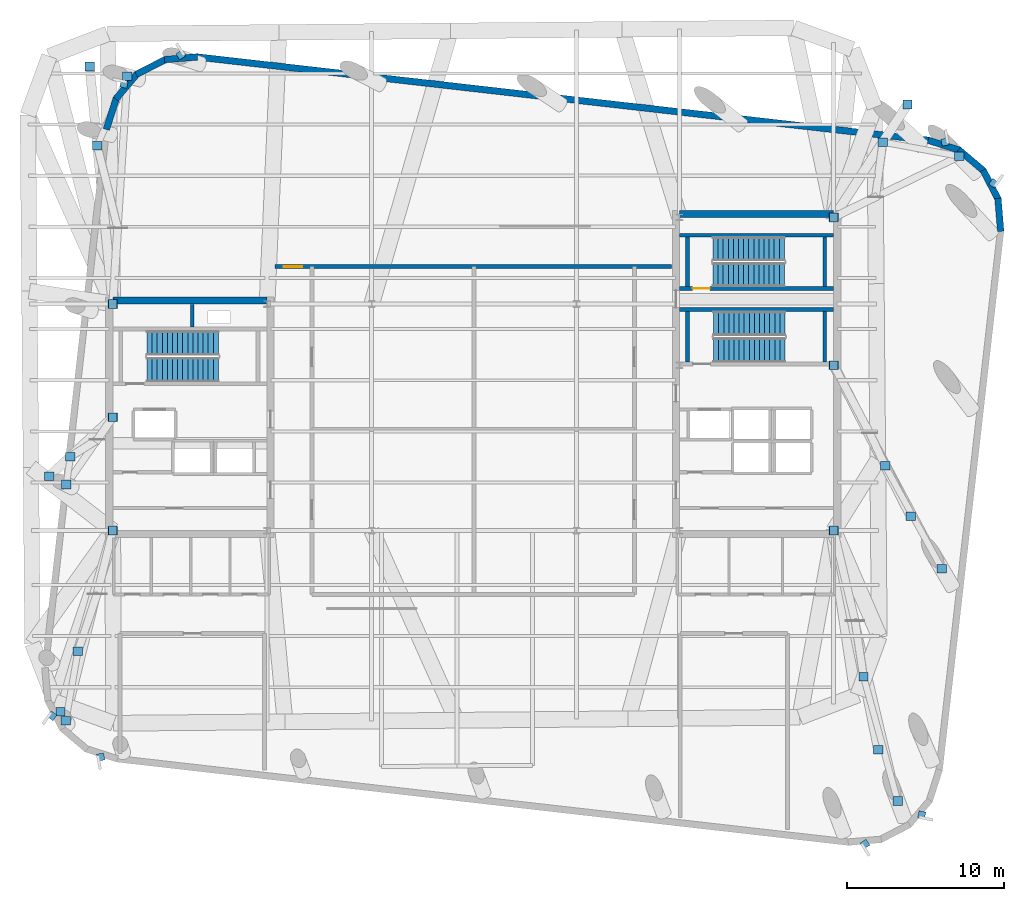
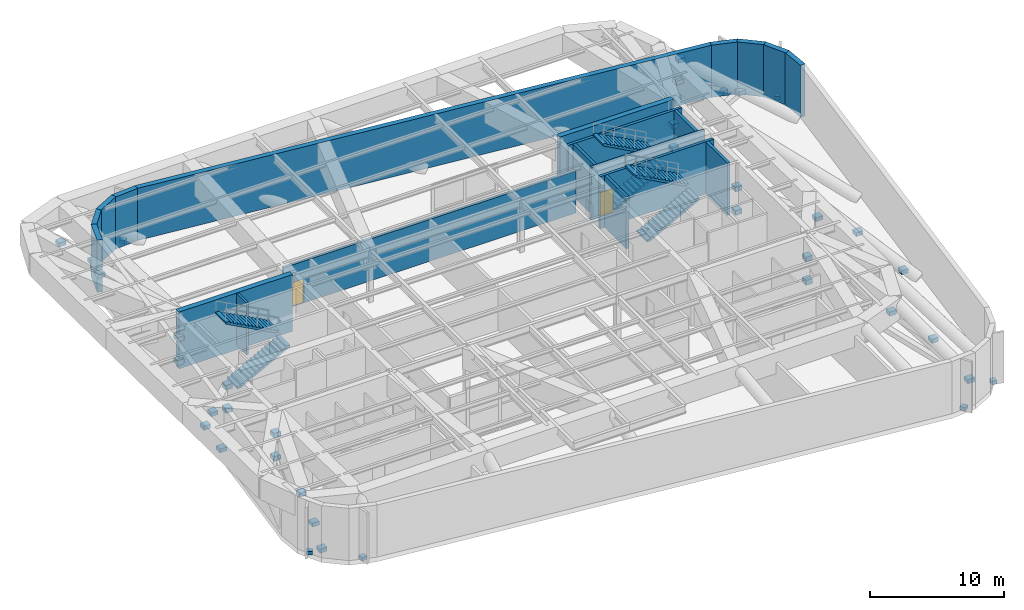
# One storey, part 9 of 12: 50 discrete accessories, 20 walls, 6 stair flights, 2 doors, 2 openings, 3 elements without a shape of their own.
"""IFC4 building model written with IfcOpenShell, lengths in metres."""

from ifc_helpers import new_model, si_unit, direction, frame, frame_2d, origin, origin_2d, place, context, subcontext, project, spatial, polyline, rectangle, outline, extrude, material, layer, layer_set, type_object, element, fill, aggregate, save


model = new_model("IFC4")

# Units and contexts
model_context = context("Model", 3, precision=1e-05, world=origin(), true_north=direction((0.0, 1.0)))
body_context = subcontext(model_context, "Body", "Model", "MODEL_VIEW")
ifc_project = project(units=[si_unit("LENGTHUNIT", "METRE"), si_unit("AREAUNIT", "SQUARE_METRE"), si_unit("VOLUMEUNIT", "CUBIC_METRE"), si_unit("PLANEANGLEUNIT", "RADIAN"), si_unit("MASSUNIT", "GRAM", prefix="KILO")], contexts=[model_context])

# Site, building, storey
site_placement = place(None, origin())
site = spatial("IfcSite", under=ifc_project, at=site_placement, CompositionType="ELEMENT")
building_placement = place(site_placement, origin())
building = spatial("IfcBuilding", under=site, at=building_placement, Name="Kolvaren Arena Tower", CompositionType="ELEMENT")
storey_placement = place(building_placement, frame((0.0, 0.0, 269.699951171875)))
storey = spatial("IfcBuildingStorey", under=building, at=storey_placement, Name="L66", CompositionType="ELEMENT", Elevation=269.699951171875)

# Walls
ifc_material_1 = material(Name="Concrete 55 MPa", Category="concrete")
ifc_layer_1 = layer(ifc_material_1, 0.449951171875)
ifc_layer_set_1 = layer_set([ifc_layer_1], Name="Concrete 55 MPa")
wall_type_1 = type_object("IfcWallType", Name="CWALL-450", PredefinedType="SHEAR", material=ifc_layer_set_1)
for number, where, z_axis, x_axis, name in (
    (1, (14.550048828125, 34.074951171875, -0.419921875), (0.0, 0.0, 1.0), (1.0, 0.0, 0.0), "Core Shear Wall WC-NORTH (L66)"),
    (2, (50.550048828125, 39.574951171875, -0.419921875), (0.0, 0.0, 1.0), (1.0, 0.0, 0.0), "Core Shear Wall EC-NORTH (L66)"),
):
    element("IfcWall", number, at=place(storey_placement, frame(where, z_axis=z_axis, x_axis=x_axis)), inside=storey, type_object=wall_type_1, Name=name, PredefinedType="SHEAR", context=body_context, shape_type="SweptSolid", body=[
        extrude(rectangle(XDim=9.800048828125, YDim=0.449951171875, at=frame_2d((4.89990234375, 0.0))), origin(), (0.0, 0.0, 1.0), 5.169921875),
    ])
ifc_material_2 = material(Name="Precast concrete C50/60", Category="concrete")
ifc_layer_2 = layer(ifc_material_2, 0.419921875)
ifc_layer_set_2 = layer_set([ifc_layer_2], Name="Precast concrete C50/60")
wall_type_2 = type_object("IfcWallType", Name="EXT-PIER1", PredefinedType="SOLIDWALL", material=ifc_layer_set_2)
wall_1_placement = place(storey_placement, frame((70.783935546875, 40.561279296875, 0.0), z_axis=(0.0, 0.0, 1.0), x_axis=(0.082729038891, -0.996572077737, 0.0)))
element("IfcWall", 3, at=wall_1_placement, inside=storey, type_object=wall_type_2, Name="Exterior Precast Masonry-Frame Wall (L66)", PredefinedType="SOLIDWALL", context=body_context, shape_type="SweptSolid", body=[
    extrude(rectangle(XDim=2.107177734375, YDim=0.419921875, at=frame_2d((1.0537109375, 0.0))), origin(), (0.0, 0.0, 1.0), 4.75),
])
wall_2_placement = place(storey_placement, frame((69.841796875, 42.35546875, 0.0), z_axis=(0.0, 0.0, 1.0), x_axis=(0.457842808015, -0.889033162007, 0.0)))
element("IfcWall", 4, at=wall_2_placement, inside=storey, type_object=wall_type_2, Name="Exterior Precast Masonry-Frame Wall (L66)", PredefinedType="SOLIDWALL", context=body_context, shape_type="SweptSolid", body=[
    extrude(rectangle(XDim=2.10693359375, YDim=0.419921875, at=frame_2d((1.053466796875, 0.0))), origin(), (0.0, 0.0, 1.0), 4.75),
])
wall_3_placement = place(storey_placement, frame((68.28466796875, 43.65283203125, 0.0), z_axis=(0.0, 0.0, 1.0), x_axis=(0.763201641502, -0.646160393717, 0.0)))
element("IfcWall", 5, at=wall_3_placement, inside=storey, type_object=wall_type_2, Name="Exterior Precast Masonry-Frame Wall (L66)", PredefinedType="SOLIDWALL", context=body_context, shape_type="SweptSolid", body=[
    extrude(rectangle(XDim=2.106689453125, YDim=0.419921875, at=frame_2d((1.05322265625, 0.0))), origin(), (0.0, 0.0, 1.0), 4.75),
])
wall_4_placement = place(storey_placement, frame((66.349609375, 44.25537109375, 0.0), z_axis=(0.0, 0.0, 1.0), x_axis=(0.952393196904, -0.304872429864, 0.0)))
element("IfcWall", 6, at=wall_4_placement, inside=storey, type_object=wall_type_2, Name="Exterior Precast Masonry-Frame Wall (L66)", PredefinedType="SOLIDWALL", context=body_context, shape_type="SweptSolid", body=[
    extrude(rectangle(XDim=2.10693359375, YDim=0.419921875, at=frame_2d((1.053466796875, 0.0))), origin(), (0.0, 0.0, 1.0), 4.75),
])
wall_5_placement = place(storey_placement, frame((19.890625, 49.544677734375, 0.0), z_axis=(0.0, 0.0, 1.0), x_axis=(0.993571439016, -0.113206870688, 0.0)))
element("IfcWall", 7, at=wall_5_placement, inside=storey, type_object=wall_type_2, Name="Exterior Precast Masonry-Frame Wall (L66)", PredefinedType="SOLIDWALL", context=body_context, shape_type="SweptSolid", body=[
    extrude(rectangle(XDim=46.800048828125, YDim=0.419921875, at=frame_2d((23.39990234375, 0.0))), origin(), (0.0, 0.0, 1.0), 4.75),
])
wall_6_placement = place(storey_placement, frame((17.83203125, 49.36962890625, 0.0), z_axis=(0.0, 0.0, 1.0), x_axis=(0.996562518477, 0.082844111233, 0.0)))
element("IfcWall", 8, at=wall_6_placement, inside=storey, type_object=wall_type_2, Name="Exterior Precast Masonry-Frame Wall (L66)", PredefinedType="SOLIDWALL", context=body_context, shape_type="SweptSolid", body=[
    extrude(rectangle(XDim=2.107177734375, YDim=0.419921875, at=frame_2d((1.0537109375, 0.0))), origin(), (0.0, 0.0, 1.0), 4.75),
])
for number, where, z_axis, x_axis, name in (
    (9, (16.037841796875, 48.427490234375, 0.0), (0.0, 0.0, 1.0), (0.889033162007, 0.457842808015, 0.0), "Exterior Precast Masonry-Frame Wall (L66)"),
    (10, (14.740478515625, 46.870361328125, 0.0), (0.0, 0.0, 1.0), (0.646103249464, 0.763250018691, 0.0), "Exterior Precast Masonry-Frame Wall (L66)"),
    (11, (14.137939453125, 44.935302734375, 0.0), (0.0, 0.0, 1.0), (0.304872429864, 0.952393196904, 0.0), "Exterior Precast Masonry-Frame Wall (L66)"),
):
    element("IfcWall", number, at=place(storey_placement, frame(where, z_axis=z_axis, x_axis=x_axis)), inside=storey, type_object=wall_type_2, Name=name, PredefinedType="SOLIDWALL", context=body_context, shape_type="SweptSolid", body=[
        extrude(rectangle(XDim=2.10693359375, YDim=0.419921875, at=frame_2d((1.053466796875, 0.0))), origin(), (0.0, 0.0, 1.0), 4.75),
    ])
ifc_material_3 = material(Name="Concrete 45 MPa", Category="concrete")
ifc_layer_3 = layer(ifc_material_3, 0.25)
ifc_layer_set_3 = layer_set([ifc_layer_3], Name="Concrete 45 MPa")
wall_type_3 = type_object("IfcWallType", Name="SHAFT-250", PredefinedType="SOLIDWALL", material=ifc_layer_set_3)
wall_7_placement = place(storey_placement, frame((50.550048828125, 33.5, 0.0), z_axis=(0.0, 0.0, 1.0), x_axis=(1.0, 0.0, 0.0)))
element("IfcWall", 12, at=wall_7_placement, inside=storey, type_object=wall_type_3, Name="Core Shaft Wall (L66)", PredefinedType="SOLIDWALL", context=body_context, shape_type="SweptSolid", body=[
    extrude(rectangle(XDim=9.800048828125, YDim=0.239990234375, at=frame_2d((4.89990234375, 0.0))), origin(), (0.0, 0.0, 1.0), 4.75),
])
for number, where, z_axis, x_axis, name in (
    (13, (51.06005859375, 30.14990234375, 0.0), (0.0, 0.0, 1.0), (0.0, 1.0, 0.0), "Core Shaft Wall (L66)"),
    (14, (59.780029296875, 30.14990234375, 0.0), (0.0, 0.0, 1.0), (0.0, 1.0, 0.0), "Core Shaft Wall (L66)"),
):
    element("IfcWall", number, at=place(storey_placement, frame(where, z_axis=z_axis, x_axis=x_axis)), inside=storey, type_object=wall_type_3, Name=name, PredefinedType="SOLIDWALL", context=body_context, shape_type="SweptSolid", body=[
        extrude(rectangle(XDim=3.22998046875, YDim=0.239990234375, at=frame_2d((1.614990234375, 0.0))), origin(), (0.0, 0.0, 1.0), 4.75),
    ])

# Wall, opening, door
wall_8_placement = place(storey_placement, frame((60.35009765625, 34.830078125, 0.0), z_axis=(0.0, 0.0, 1.0), x_axis=(-1.0, 0.0, 0.0)))
wall_8 = element("IfcWall", 15, at=wall_8_placement, inside=storey, type_object=wall_type_3, Name="Core Shaft Wall (L66)", PredefinedType="SOLIDWALL", context=body_context, shape_type="SweptSolid", body=[
    extrude(rectangle(XDim=9.800048828125, YDim=0.239990234375, at=frame_2d((4.89990234375, 0.0))), origin(), (0.0, 0.0, 1.0), 4.75),
])
opening_1_placement = place(wall_8_placement, frame((7.8701171875, 0.0, 0.0)))
opening_1 = element("IfcOpeningElement", 16, at=opening_1_placement, cuts=wall_8, Name="Opening D03", PredefinedType="OPENING", context=body_context, shape_type="SweptSolid", body=[
    extrude(rectangle(XDim=1.10009765625, YDim=2.14990234375, at=frame_2d((0.550048828125, 1.074951171875))), frame((0.0, 0.1298828125, 0.0), z_axis=(0.0, -1.0, 0.0), x_axis=(1.0, 0.0, 0.0)), (0.0, 0.0, 1.0), 0.260009765625),
])
ifc_material_4 = material(Name="Fire-rated steel exit stair door", Category="steel")
door_type_1 = type_object("IfcDoorType", Name="DOOR-ST-110", OperationType="NOTDEFINED", PredefinedType="DOOR", material=ifc_material_4)
door_1_placement = place(opening_1_placement, origin())
door_1 = element("IfcDoor", 17, at=door_1_placement, inside=storey, type_object=door_type_1, Name="Stair ST-E2 Fire Door (L66)", OperationType="SINGLE_SWING_LEFT", OverallHeight=2.14990234375, OverallWidth=1.10009765625, PredefinedType="DOOR", context=body_context, shape_type="SweptSolid", body=[
    extrude(rectangle(XDim=1.10009765625, YDim=2.14990234375, at=frame_2d((0.550048828125, 1.074951171875))), frame((0.0, 0.02490234375, 0.0), z_axis=(0.0, -1.0, 0.0), x_axis=(1.0, 0.0, 0.0)), (0.0, 0.0, 1.0), 0.050048828125),
])
fill(opening_1, door_1)

# Walls
wall_9_placement = place(storey_placement, frame((50.550048828125, 38.219970703125, 0.0), z_axis=(0.0, 0.0, 1.0), x_axis=(1.0, 0.0, 0.0)))
element("IfcWall", 18, at=wall_9_placement, inside=storey, type_object=wall_type_3, Name="Core Shaft Wall (L66)", PredefinedType="SOLIDWALL", context=body_context, shape_type="SweptSolid", body=[
    extrude(rectangle(XDim=9.800048828125, YDim=0.239990234375, at=frame_2d((4.89990234375, 0.0))), origin(), (0.0, 0.0, 1.0), 4.75),
])
for number, where, z_axis, x_axis, name in (
    (19, (51.06005859375, 34.949951171875, 0.0), (0.0, 0.0, 1.0), (0.0, 1.0, 0.0), "Core Shaft Wall (L66)"),
    (20, (59.780029296875, 34.949951171875, 0.0), (0.0, 0.0, 1.0), (0.0, 1.0, 0.0), "Core Shaft Wall (L66)"),
):
    element("IfcWall", number, at=place(storey_placement, frame(where, z_axis=z_axis, x_axis=x_axis)), inside=storey, type_object=wall_type_3, Name=name, PredefinedType="SOLIDWALL", context=body_context, shape_type="SweptSolid", body=[
        extrude(rectangle(XDim=3.150146484375, YDim=0.239990234375, at=frame_2d((1.5751953125, 0.0))), origin(), (0.0, 0.0, 1.0), 4.75),
    ])
wall_10_placement = place(storey_placement, frame((19.60009765625, 32.3701171875, 0.0), z_axis=(0.0, 0.0, 1.0), x_axis=(0.0, 1.0, 0.0)))
element("IfcWall", 21, at=wall_10_placement, inside=storey, type_object=wall_type_3, Name="Core Shaft Wall (L66)", PredefinedType="SOLIDWALL", context=body_context, shape_type="SweptSolid", body=[
    extrude(rectangle(XDim=1.429931640625, YDim=0.199951171875, at=frame_2d((0.71484375, 0.0))), origin(), (0.0, 0.0, 1.0), 4.75),
])

# Wall, opening, door
wall_11_placement = place(storey_placement, frame((24.85009765625, 36.219970703125, 0.0), z_axis=(0.0, 0.0, 1.0), x_axis=(1.0, 0.0, 0.0)))
wall_11 = element("IfcWall", 22, at=wall_11_placement, inside=storey, type_object=wall_type_3, Name="Interior Partition Wall (L66)", PredefinedType="SOLIDWALL", context=body_context, shape_type="SweptSolid", body=[
    extrude(rectangle(XDim=25.199951171875, YDim=0.25, at=frame_2d((12.60009765625, 0.0))), origin(), (0.0, 0.0, 1.0), 3.81005859375),
])
opening_2_placement = place(wall_11_placement, frame((0.550048828125, 0.0, 0.0)))
opening_2 = element("IfcOpeningElement", 23, at=opening_2_placement, cuts=wall_11, Name="Opening D08", PredefinedType="OPENING", context=body_context, shape_type="SweptSolid", body=[
    extrude(rectangle(XDim=1.199951171875, YDim=2.199951171875, at=frame_2d((0.60009765625, 1.10009765625))), frame((0.0, 0.135009765625, 0.0), z_axis=(0.0, -1.0, 0.0), x_axis=(1.0, 0.0, 0.0)), (0.0, 0.0, 1.0), 0.27001953125),
])
ifc_material_5 = material(Name="Fire-rated steel plant room door", Category="steel")
door_type_2 = type_object("IfcDoorType", Name="DOOR-PL-120", OperationType="NOTDEFINED", PredefinedType="DOOR", material=ifc_material_5)
door_2_placement = place(opening_2_placement, origin())
door_2 = element("IfcDoor", 24, at=door_2_placement, inside=storey, type_object=door_type_2, Name="Smoke Fan Plant Door (L66)", OperationType="SINGLE_SWING_LEFT", OverallHeight=2.199951171875, OverallWidth=1.199951171875, PredefinedType="DOOR", context=body_context, shape_type="SweptSolid", body=[
    extrude(rectangle(XDim=1.199951171875, YDim=2.199951171875, at=frame_2d((0.60009765625, 1.10009765625))), frame((0.0, 0.02490234375, 0.0), z_axis=(0.0, -1.0, 0.0), x_axis=(1.0, 0.0, 0.0)), (0.0, 0.0, 1.0), 0.050048828125),
])
fill(opening_2, door_2)

# Stair, stair flights
stair_type_1 = type_object("IfcStairType", Name="STAIR-CORE-150", PredefinedType="HALF_TURN_STAIR", material=ifc_material_3)
stair_1_placement = place(storey_placement, origin())
stair_1 = element("IfcStair", 25, at=stair_1_placement, inside=storey, type_object=stair_type_1, Name="L66 ST-E2", PredefinedType="HALF_TURN_STAIR")
stair_flight_type_1 = type_object("IfcStairFlightType", Name="FLT-150", PredefinedType="STRAIGHT", material=ifc_material_3)
stair_flight_1_placement = place(storey_placement, frame((52.679931640625, 35.699951171875, 0.0), z_axis=(0.0, 0.0, 1.0), x_axis=(1.0, 0.0, 0.0)))
stair_flight_1 = element("IfcStairFlight", 26, at=stair_flight_1_placement, type_object=stair_flight_type_1, Name="ST-E2 flight 1", NumberOfRisers=15, NumberOfTreads=14, PredefinedType="STRAIGHT", RiserHeight=0.173333333, TreadLength=0.324, context=body_context, shape_type="SweptSolid", body=[
    extrude(outline(polyline([(0.0, 0.0), (0.0, 0.17333984375), (0.323974609375, 0.17333984375), (0.323974609375, 0.3466796875), (0.64794921875, 0.3466796875), (0.64794921875, 0.52001953125), (0.971923828125, 0.52001953125), (0.971923828125, 0.693359375), (1.2958984375, 0.693359375), (1.2958984375, 0.86669921875), (1.6201171875, 0.86669921875), (1.6201171875, 1.0400390625), (1.944091796875, 1.0400390625), (1.944091796875, 1.21337890625), (2.26806640625, 1.21337890625), (2.26806640625, 1.38671875), (2.592041015625, 1.38671875), (2.592041015625, 1.56005859375), (2.916015625, 1.56005859375), (2.916015625, 1.7333984375), (3.239990234375, 1.7333984375), (3.239990234375, 1.90673828125), (3.56396484375, 1.90673828125), (3.56396484375, 2.080078125), (3.887939453125, 2.080078125), (3.887939453125, 2.25341796875), (4.2119140625, 2.25341796875), (4.2119140625, 2.4267578125), (4.535888671875, 2.4267578125), (4.535888671875, 2.60009765625), (4.535888671875, 2.256591796875), (0.31787109375, 0.0), (0.0, 0.0)])), frame((0.0, 0.75, 0.0), z_axis=(0.0, -1.0, 0.0), x_axis=(1.0, 0.0, 0.0)), (0.0, 0.0, 1.0), 1.5),
])
stair_flight_2_placement = place(storey_placement, frame((57.216064453125, 37.35009765625, 2.60009765625), z_axis=(0.0, 0.0, 1.0), x_axis=(-1.0, 0.0, 0.0)))
stair_flight_2 = element("IfcStairFlight", 27, at=stair_flight_2_placement, type_object=stair_flight_type_1, Name="ST-E2 flight 2", NumberOfRisers=15, NumberOfTreads=14, PredefinedType="STRAIGHT", RiserHeight=0.173333333, TreadLength=0.324, context=body_context, shape_type="SweptSolid", body=[
    extrude(outline(polyline([(0.0, 0.0), (0.0, 0.17333984375), (0.323974609375, 0.17333984375), (0.323974609375, 0.3466796875), (0.64794921875, 0.3466796875), (0.64794921875, 0.52001953125), (0.971923828125, 0.52001953125), (0.971923828125, 0.693359375), (1.2958984375, 0.693359375), (1.2958984375, 0.86669921875), (1.6201171875, 0.86669921875), (1.6201171875, 1.0400390625), (1.944091796875, 1.0400390625), (1.944091796875, 1.21337890625), (2.26806640625, 1.21337890625), (2.26806640625, 1.38671875), (2.592041015625, 1.38671875), (2.592041015625, 1.56005859375), (2.916015625, 1.56005859375), (2.916015625, 1.7333984375), (3.239990234375, 1.7333984375), (3.239990234375, 1.90673828125), (3.56396484375, 1.90673828125), (3.56396484375, 2.080078125), (3.887939453125, 2.080078125), (3.887939453125, 2.25341796875), (4.2119140625, 2.25341796875), (4.2119140625, 2.4267578125), (4.535888671875, 2.4267578125), (4.535888671875, 2.60009765625), (4.535888671875, 2.256591796875), (0.31787109375, 0.0), (0.0, 0.0)])), frame((0.0, 0.75, 0.0), z_axis=(0.0, -1.0, 0.0), x_axis=(1.0, 0.0, 0.0)), (0.0, 0.0, 1.0), 1.5),
])
aggregate(stair_1, [stair_flight_1, stair_flight_2])

stair_type_2 = type_object("IfcStairType", Name="STAIR-CORE-165", PredefinedType="HALF_TURN_STAIR", material=ifc_material_3)
stair_2_placement = place(storey_placement, origin())
stair_2 = element("IfcStair", 28, at=stair_2_placement, inside=storey, type_object=stair_type_2, Name="L66 ST-W1", PredefinedType="HALF_TURN_STAIR")
stair_flight_type_2 = type_object("IfcStairFlightType", Name="FLT-165", PredefinedType="STRAIGHT", material=ifc_material_3)
stair_flight_3_placement = place(storey_placement, frame((16.719970703125, 29.669921875, 0.0), z_axis=(0.0, 0.0, 1.0), x_axis=(1.0, 0.0, 0.0)))
stair_flight_3 = element("IfcStairFlight", 29, at=stair_flight_3_placement, type_object=stair_flight_type_2, Name="ST-W1 flight 1", NumberOfRisers=15, NumberOfTreads=14, PredefinedType="STRAIGHT", RiserHeight=0.173333333, TreadLength=0.324, context=body_context, shape_type="SweptSolid", body=[
    extrude(outline(polyline([(0.0, 0.0), (0.0, 0.17333984375), (0.323974609375, 0.17333984375), (0.323974609375, 0.3466796875), (0.64794921875, 0.3466796875), (0.64794921875, 0.52001953125), (0.971923828125, 0.52001953125), (0.971923828125, 0.693359375), (1.2958984375, 0.693359375), (1.2958984375, 0.86669921875), (1.6201171875, 0.86669921875), (1.6201171875, 1.0400390625), (1.944091796875, 1.0400390625), (1.944091796875, 1.21337890625), (2.26806640625, 1.21337890625), (2.26806640625, 1.38671875), (2.592041015625, 1.38671875), (2.592041015625, 1.56005859375), (2.916015625, 1.56005859375), (2.916015625, 1.7333984375), (3.239990234375, 1.7333984375), (3.239990234375, 1.90673828125), (3.56396484375, 1.90673828125), (3.56396484375, 2.080078125), (3.887939453125, 2.080078125), (3.887939453125, 2.25341796875), (4.2119140625, 2.25341796875), (4.2119140625, 2.4267578125), (4.535888671875, 2.4267578125), (4.535888671875, 2.60009765625), (4.535888671875, 2.256591796875), (0.31787109375, 0.0), (0.0, 0.0)])), frame((0.0, 0.77001953125, 0.0), z_axis=(0.0, -1.0, 0.0), x_axis=(1.0, 0.0, 0.0)), (0.0, 0.0, 1.0), 1.5400390625),
])
stair_flight_4_placement = place(storey_placement, frame((21.256103515625, 31.360107421875, 2.60009765625), z_axis=(0.0, 0.0, 1.0), x_axis=(-1.0, 0.0, 0.0)))
stair_flight_4 = element("IfcStairFlight", 30, at=stair_flight_4_placement, type_object=stair_flight_type_2, Name="ST-W1 flight 2", NumberOfRisers=15, NumberOfTreads=14, PredefinedType="STRAIGHT", RiserHeight=0.173333333, TreadLength=0.324, context=body_context, shape_type="SweptSolid", body=[
    extrude(outline(polyline([(0.0, 0.0), (0.0, 0.17333984375), (0.323974609375, 0.17333984375), (0.323974609375, 0.3466796875), (0.64794921875, 0.3466796875), (0.64794921875, 0.52001953125), (0.971923828125, 0.52001953125), (0.971923828125, 0.693359375), (1.2958984375, 0.693359375), (1.2958984375, 0.86669921875), (1.6201171875, 0.86669921875), (1.6201171875, 1.0400390625), (1.944091796875, 1.0400390625), (1.944091796875, 1.21337890625), (2.26806640625, 1.21337890625), (2.26806640625, 1.38671875), (2.592041015625, 1.38671875), (2.592041015625, 1.56005859375), (2.916015625, 1.56005859375), (2.916015625, 1.7333984375), (3.239990234375, 1.7333984375), (3.239990234375, 1.90673828125), (3.56396484375, 1.90673828125), (3.56396484375, 2.080078125), (3.887939453125, 2.080078125), (3.887939453125, 2.25341796875), (4.2119140625, 2.25341796875), (4.2119140625, 2.4267578125), (4.535888671875, 2.4267578125), (4.535888671875, 2.60009765625), (4.535888671875, 2.256591796875), (0.31787109375, 0.0), (0.0, 0.0)])), frame((0.0, 0.77001953125, 0.0), z_axis=(0.0, -1.0, 0.0), x_axis=(1.0, 0.0, 0.0)), (0.0, 0.0, 1.0), 1.5400390625),
])
aggregate(stair_2, [stair_flight_3, stair_flight_4])

stair_3_placement = place(storey_placement, origin())
stair_3 = element("IfcStair", 31, at=stair_3_placement, inside=storey, type_object=stair_type_2, Name="L66 ST-E1", PredefinedType="HALF_TURN_STAIR")
stair_flight_5_placement = place(storey_placement, frame((52.719970703125, 30.919921875, 0.0), z_axis=(0.0, 0.0, 1.0), x_axis=(1.0, 0.0, 0.0)))
stair_flight_5 = element("IfcStairFlight", 32, at=stair_flight_5_placement, type_object=stair_flight_type_2, Name="ST-E1 flight 1", NumberOfRisers=15, NumberOfTreads=14, PredefinedType="STRAIGHT", RiserHeight=0.173333333, TreadLength=0.324, context=body_context, shape_type="SweptSolid", body=[
    extrude(outline(polyline([(0.0, 0.0), (0.0, 0.17333984375), (0.323974609375, 0.17333984375), (0.323974609375, 0.3466796875), (0.64794921875, 0.3466796875), (0.64794921875, 0.52001953125), (0.971923828125, 0.52001953125), (0.971923828125, 0.693359375), (1.2958984375, 0.693359375), (1.2958984375, 0.86669921875), (1.6201171875, 0.86669921875), (1.6201171875, 1.0400390625), (1.944091796875, 1.0400390625), (1.944091796875, 1.21337890625), (2.26806640625, 1.21337890625), (2.26806640625, 1.38671875), (2.592041015625, 1.38671875), (2.592041015625, 1.56005859375), (2.916015625, 1.56005859375), (2.916015625, 1.7333984375), (3.239990234375, 1.7333984375), (3.239990234375, 1.90673828125), (3.56396484375, 1.90673828125), (3.56396484375, 2.080078125), (3.887939453125, 2.080078125), (3.887939453125, 2.25341796875), (4.2119140625, 2.25341796875), (4.2119140625, 2.4267578125), (4.535888671875, 2.4267578125), (4.535888671875, 2.60009765625), (4.535888671875, 2.256591796875), (0.31787109375, 0.0), (0.0, 0.0)])), frame((0.0, 0.77001953125, 0.0), z_axis=(0.0, -1.0, 0.0), x_axis=(1.0, 0.0, 0.0)), (0.0, 0.0, 1.0), 1.5400390625),
])
stair_flight_6_placement = place(storey_placement, frame((57.256103515625, 32.610107421875, 2.60009765625), z_axis=(0.0, 0.0, 1.0), x_axis=(-1.0, 0.0, 0.0)))
stair_flight_6 = element("IfcStairFlight", 33, at=stair_flight_6_placement, type_object=stair_flight_type_2, Name="ST-E1 flight 2", NumberOfRisers=15, NumberOfTreads=14, PredefinedType="STRAIGHT", RiserHeight=0.173333333, TreadLength=0.324, context=body_context, shape_type="SweptSolid", body=[
    extrude(outline(polyline([(0.0, 0.0), (0.0, 0.17333984375), (0.323974609375, 0.17333984375), (0.323974609375, 0.3466796875), (0.64794921875, 0.3466796875), (0.64794921875, 0.52001953125), (0.971923828125, 0.52001953125), (0.971923828125, 0.693359375), (1.2958984375, 0.693359375), (1.2958984375, 0.86669921875), (1.6201171875, 0.86669921875), (1.6201171875, 1.0400390625), (1.944091796875, 1.0400390625), (1.944091796875, 1.21337890625), (2.26806640625, 1.21337890625), (2.26806640625, 1.38671875), (2.592041015625, 1.38671875), (2.592041015625, 1.56005859375), (2.916015625, 1.56005859375), (2.916015625, 1.7333984375), (3.239990234375, 1.7333984375), (3.239990234375, 1.90673828125), (3.56396484375, 1.90673828125), (3.56396484375, 2.080078125), (3.887939453125, 2.080078125), (3.887939453125, 2.25341796875), (4.2119140625, 2.25341796875), (4.2119140625, 2.4267578125), (4.535888671875, 2.4267578125), (4.535888671875, 2.60009765625), (4.535888671875, 2.256591796875), (0.31787109375, 0.0), (0.0, 0.0)])), frame((0.0, 0.77001953125, 0.0), z_axis=(0.0, -1.0, 0.0), x_axis=(1.0, 0.0, 0.0)), (0.0, 0.0, 1.0), 1.5400390625),
])
aggregate(stair_3, [stair_flight_5, stair_flight_6])

# Discrete accessories
ifc_material_6 = material(Name="Stainless steel facade support bracket", Category="steel")
discrete_accessory_type_1 = type_object("IfcDiscreteAccessoryType", Name="ACC-BRKT-1", PredefinedType="BRACKET", material=ifc_material_6)
for number, where, z_axis, x_axis, name in (
    (34, (62.33544921875, -0.46630859375, 0.02001953125), (0.0, 0.0, 1.0), (0.540981810797, -0.84103429204, 0.0), "Corner Fin Anchor Bracket (L66)"),
    (35, (65.939208984375, 1.389892578125, 0.02001953125), (0.0, 0.0, 1.0), (0.977234439221, -0.21216232182, 0.0), "Corner Fin Anchor Bracket (L66)"),
    (36, (70.5107421875, 41.51513671875, 0.02001953125), (0.0, 0.0, 1.0), (0.569965213199, 0.821668823641, 0.0), "Corner Fin Anchor Bracket (L66)"),
    (37, (67.4169921875, 44.13427734375, 0.02001953125), (0.0, 0.0, 1.0), (-0.177965872603, 0.984036659982, 0.0), "Corner Fin Anchor Bracket (L66)"),
    (38, (18.864501953125, 49.666259765625, 0.02001953125), (0.0, 0.0, 1.0), (-0.540981810797, 0.84103429204, 0.0), "Corner Fin Anchor Bracket (L66)"),
    (39, (15.260986328125, 47.81005859375, 0.02001953125), (0.0, 0.0, 1.0), (-0.977234439221, 0.21216232182, 0.0), "Corner Fin Anchor Bracket (L66)"),
    (40, (10.689208984375, 7.684814453125, 0.02001953125), (0.0, 0.0, 1.0), (-0.569965213199, -0.821668823641, 0.0), "Corner Fin Anchor Bracket (L66)"),
    (41, (13.782958984375, 5.065673828125, 0.02001953125), (0.0, 0.0, 1.0), (0.177965872603, -0.984036659982, 0.0), "Corner Fin Anchor Bracket (L66)"),
):
    element("IfcDiscreteAccessory", number, at=place(storey_placement, frame(where, z_axis=z_axis, x_axis=x_axis)), inside=storey, type_object=discrete_accessory_type_1, Name=name, PredefinedType="BRACKET", context=body_context, shape_type="SweptSolid", body=[
        extrude(rectangle(XDim=0.449951171875, YDim=0.449951171875, at=origin_2d()), origin(), (0.0, 0.0, 1.0), 0.300048828125),
    ])
ifc_material_7 = material(Name="Steel CSA G40.21 350W bolted gusset connection", Category="steel")
discrete_accessory_type_2 = type_object("IfcDiscreteAccessoryType", Name="ACC-CONN-1", PredefinedType="BRACKET", material=ifc_material_7)
for number, where, z_axis, x_axis, name in (
    (42, (14.550048828125, 19.449951171875, 2.2998046875), (0.0, 0.0, 1.0), (1.0, 0.0, 0.0), "Outrigger Gusset Connection 1-1 (L66)"),
    (43, (14.550048828125, 19.449951171875, 0.169921875), (0.0, 0.0, 1.0), (1.0, 0.0, 0.0), "Outrigger Gusset Connection 1-2 (L66)"),
    (44, (12.334228515625, 11.78173828125, 2.2998046875), (0.0, 0.0, 1.0), (1.0, 0.0, 0.0), "Outrigger Gusset Connection 1-3 (L66)"),
    (45, (11.2265625, 7.947509765625, 2.2998046875), (0.0, 0.0, 1.0), (1.0, 0.0, 0.0), "Outrigger Gusset Connection 1-4 (L66)"),
    (46, (11.559814453125, 7.364013671875, 0.169921875), (0.0, 0.0, 1.0), (1.0, 0.0, 0.0), "Outrigger Gusset Connection 1-5 (L66)"),
    (47, (14.550048828125, 33.85009765625, 2.2998046875), (0.0, 0.0, 1.0), (1.0, 0.0, 0.0), "Outrigger Gusset Connection 2-1 (L66)"),
    (48, (14.550048828125, 33.85009765625, 0.169921875), (0.0, 0.0, 1.0), (1.0, 0.0, 0.0), "Outrigger Gusset Connection 2-2 (L66)"),
    (49, (13.566162109375, 43.906982421875, 2.2998046875), (0.0, 0.0, 1.0), (1.0, 0.0, 0.0), "Outrigger Gusset Connection 2-3 (L66)"),
    (50, (13.07421875, 48.935546875, 2.2998046875), (0.0, 0.0, 1.0), (1.0, 0.0, 0.0), "Outrigger Gusset Connection 2-4 (L66)"),
    (51, (15.4775390625, 48.325927734375, 0.169921875), (0.0, 0.0, 1.0), (1.0, 0.0, 0.0), "Outrigger Gusset Connection 2-5 (L66)"),
    (52, (60.35009765625, 19.449951171875, 2.2998046875), (0.0, 0.0, 1.0), (1.0, 0.0, 0.0), "Outrigger Gusset Connection 3-1 (L66)"),
    (53, (60.35009765625, 19.449951171875, 0.169921875), (0.0, 0.0, 1.0), (1.0, 0.0, 0.0), "Outrigger Gusset Connection 3-2 (L66)"),
    (54, (62.242919921875, 10.1748046875, 2.2998046875), (0.0, 0.0, 1.0), (1.0, 0.0, 0.0), "Outrigger Gusset Connection 3-3 (L66)"),
    (55, (63.189453125, 5.537109375, 2.2998046875), (0.0, 0.0, 1.0), (1.0, 0.0, 0.0), "Outrigger Gusset Connection 3-4 (L66)"),
    (56, (64.411865234375, 2.274169921875, 0.169921875), (0.0, 0.0, 1.0), (1.0, 0.0, 0.0), "Outrigger Gusset Connection 3-5 (L66)"),
    (57, (60.35009765625, 39.35009765625, 2.2998046875), (0.0, 0.0, 1.0), (1.0, 0.0, 0.0), "Outrigger Gusset Connection 4-1 (L66)"),
    (58, (60.35009765625, 39.35009765625, 0.169921875), (0.0, 0.0, 1.0), (1.0, 0.0, 0.0), "Outrigger Gusset Connection 4-2 (L66)"),
    (59, (63.474853515625, 44.133544921875, 2.2998046875), (0.0, 0.0, 1.0), (1.0, 0.0, 0.0), "Outrigger Gusset Connection 4-3 (L66)"),
    (60, (65.037353515625, 46.525390625, 2.2998046875), (0.0, 0.0, 1.0), (1.0, 0.0, 0.0), "Outrigger Gusset Connection 4-4 (L66)"),
    (61, (68.32958984375, 43.236083984375, 0.169921875), (0.0, 0.0, 1.0), (1.0, 0.0, 0.0), "Outrigger Gusset Connection 4-5 (L66)"),
    (62, (14.550048828125, 26.64990234375, 2.2998046875), (0.0, 0.0, 1.0), (1.0, 0.0, 0.0), "Outrigger Gusset Connection 5-1 (L66)"),
    (63, (14.550048828125, 26.64990234375, 0.169921875), (0.0, 0.0, 1.0), (1.0, 0.0, 0.0), "Outrigger Gusset Connection 5-2 (L66)"),
    (64, (11.85693359375, 24.153564453125, 2.2998046875), (0.0, 0.0, 1.0), (1.0, 0.0, 0.0), "Outrigger Gusset Connection 5-3 (L66)"),
    (65, (10.510498046875, 22.9052734375, 2.2998046875), (0.0, 0.0, 1.0), (1.0, 0.0, 0.0), "Outrigger Gusset Connection 5-4 (L66)"),
    (66, (11.599609375, 22.37939453125, 0.169921875), (0.0, 0.0, 1.0), (1.0, 0.0, 0.0), "Outrigger Gusset Connection 5-5 (L66)"),
    (67, (60.35009765625, 29.949951171875, 2.2998046875), (0.0, 0.0, 1.0), (1.0, 0.0, 0.0), "Outrigger Gusset Connection 6-1 (L66)"),
    (68, (60.35009765625, 29.949951171875, 0.169921875), (0.0, 0.0, 1.0), (1.0, 0.0, 0.0), "Outrigger Gusset Connection 6-2 (L66)"),
    (69, (63.615478515625, 23.5634765625, 2.2998046875), (0.0, 0.0, 1.0), (1.0, 0.0, 0.0), "Outrigger Gusset Connection 6-3 (L66)"),
    (70, (65.248046875, 20.370361328125, 2.2998046875), (0.0, 0.0, 1.0), (1.0, 0.0, 0.0), "Outrigger Gusset Connection 6-4 (L66)"),
    (71, (67.218994140625, 17.025390625, 0.169921875), (0.0, 0.0, 1.0), (1.0, 0.0, 0.0), "Outrigger Gusset Connection 6-5 (L66)"),
):
    element("IfcDiscreteAccessory", number, at=place(storey_placement, frame(where, z_axis=z_axis, x_axis=x_axis)), inside=storey, type_object=discrete_accessory_type_2, Name=name, PredefinedType="BRACKET", context=body_context, shape_type="SweptSolid", body=[
        extrude(rectangle(XDim=0.60009765625, YDim=0.550048828125, at=origin_2d()), origin(), (0.0, 0.0, 1.0), 0.360107421875),
    ])
for number, where, z_axis, x_axis, name in (
    (72, (14.550048828125, 19.449951171875, 2.260009765625), (0.0, 0.0, 1.0), (1.0, 0.0, 0.0), "Core Wall Cast-In Embed Plate EP1 (L66)"),
    (73, (14.550048828125, 19.449951171875, 0.130126953125), (0.0, 0.0, 1.0), (1.0, 0.0, 0.0), "Core Wall Cast-In Embed Plate EP1 (L66)"),
    (74, (14.550048828125, 33.85009765625, 2.260009765625), (0.0, 0.0, 1.0), (1.0, 0.0, 0.0), "Core Wall Cast-In Embed Plate EP1 (L66)"),
    (75, (14.550048828125, 33.85009765625, 0.130126953125), (0.0, 0.0, 1.0), (1.0, 0.0, 0.0), "Core Wall Cast-In Embed Plate EP1 (L66)"),
    (76, (60.35009765625, 19.449951171875, 2.260009765625), (0.0, 0.0, 1.0), (1.0, 0.0, 0.0), "Core Wall Cast-In Embed Plate EP1 (L66)"),
    (77, (60.35009765625, 19.449951171875, 0.130126953125), (0.0, 0.0, 1.0), (1.0, 0.0, 0.0), "Core Wall Cast-In Embed Plate EP1 (L66)"),
    (78, (60.35009765625, 39.35009765625, 2.260009765625), (0.0, 0.0, 1.0), (1.0, 0.0, 0.0), "Core Wall Cast-In Embed Plate EP1 (L66)"),
    (79, (60.35009765625, 39.35009765625, 0.130126953125), (0.0, 0.0, 1.0), (1.0, 0.0, 0.0), "Core Wall Cast-In Embed Plate EP1 (L66)"),
    (80, (14.550048828125, 26.64990234375, 2.260009765625), (0.0, 0.0, 1.0), (1.0, 0.0, 0.0), "Core Wall Cast-In Embed Plate EP1 (L66)"),
    (81, (14.550048828125, 26.64990234375, 0.130126953125), (0.0, 0.0, 1.0), (1.0, 0.0, 0.0), "Core Wall Cast-In Embed Plate EP1 (L66)"),
    (82, (60.35009765625, 29.949951171875, 2.260009765625), (0.0, 0.0, 1.0), (1.0, 0.0, 0.0), "Core Wall Cast-In Embed Plate EP1 (L66)"),
    (83, (60.35009765625, 29.949951171875, 0.130126953125), (0.0, 0.0, 1.0), (1.0, 0.0, 0.0), "Core Wall Cast-In Embed Plate EP1 (L66)"),
):
    element("IfcDiscreteAccessory", number, at=place(storey_placement, frame(where, z_axis=z_axis, x_axis=x_axis)), inside=storey, type_object=discrete_accessory_type_2, Name=name, PredefinedType="BRACKET", context=body_context, shape_type="SweptSolid", body=[
        extrude(rectangle(XDim=0.56005859375, YDim=0.56005859375, at=origin_2d()), origin(), (0.0, 0.0, 1.0), 0.43994140625),
    ])

save(model, "model.ifc")
